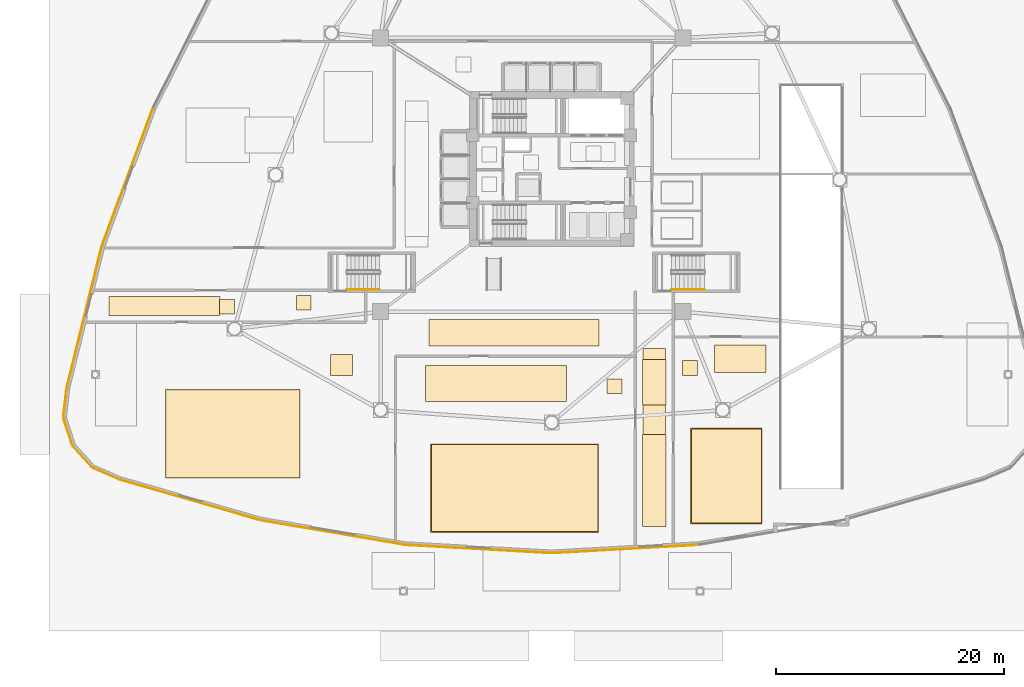
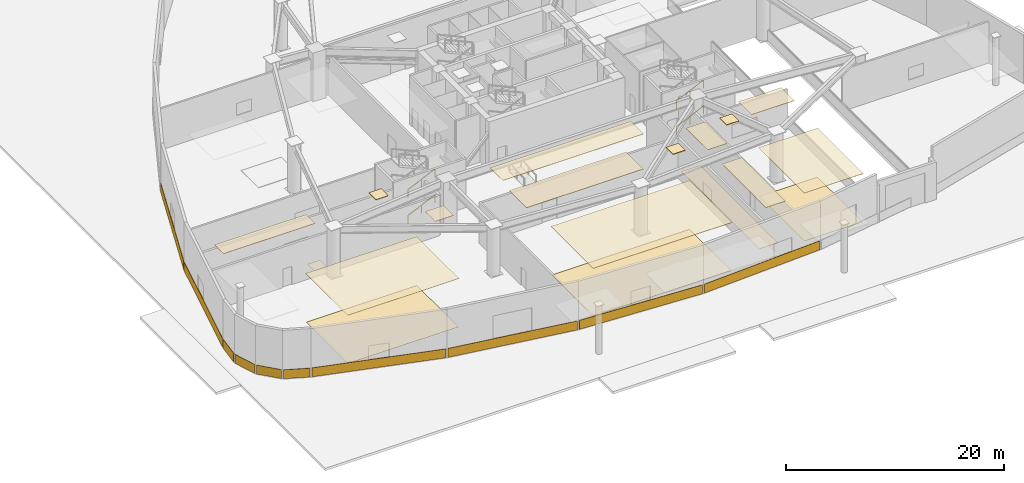
# One storey, part 9 of 13: 28 coverings, 4 railings.
"""IFC4 building model written with IfcOpenShell, lengths in metres."""

from ifc_helpers import new_model, si_unit, direction, frame, origin, origin_2d, place, context, subcontext, project, spatial, polyline, rectangle, outline, extrude, material, layer, layer_set, type_object, element, save


model = new_model("IFC4")

# Units and contexts
model_context = context("Model", 3, precision=1e-05, world=origin(), true_north=direction((0.0, 1.0)))
body_context = subcontext(model_context, "Body", "Model", "MODEL_VIEW")
ifc_project = project(units=[si_unit("LENGTHUNIT", "METRE"), si_unit("AREAUNIT", "SQUARE_METRE"), si_unit("VOLUMEUNIT", "CUBIC_METRE"), si_unit("PLANEANGLEUNIT", "RADIAN"), si_unit("MASSUNIT", "GRAM", prefix="KILO")], contexts=[model_context])

# Site, building, storey
site_placement = place(None, origin())
site = spatial("IfcSite", under=ifc_project, at=site_placement, CompositionType="ELEMENT")
building_placement = place(site_placement, origin())
building = spatial("IfcBuilding", under=site, at=building_placement, Name="Tavelor Broadcast Tower", CompositionType="ELEMENT")
storey_placement = place(building_placement, origin())
storey = spatial("IfcBuildingStorey", under=building, at=storey_placement, Name="L00", CompositionType="ELEMENT", Elevation=0.0)

# Covering
ifc_material_1 = material(Name="Copper-Bronze Anodized Aluminium", Category="aluminium")
ifc_layer_1 = layer(ifc_material_1, 0.044921875)
ifc_layer_set_1 = layer_set([ifc_layer_1], Name="Copper-Bronze Anodized Aluminium")
covering_type_1 = type_object("IfcCoveringType", Name="Anodised Bronze Linear Slatted Concourse Ceiling 45 mm", PredefinedType="CEILING", material=ifc_layer_set_1)
covering_1_placement = place(storey_placement, frame((0.0, 0.0, 5.405029296875)))
element("IfcCovering", 1, at=covering_1_placement, inside=storey, type_object=covering_type_1, Name="L00 Suspended Acoustic Ceiling 0012", PredefinedType="CEILING", context=body_context, shape_type="SweptSolid", body=[
    extrude(outline(polyline([(39.2421875, 29.484619140625), (54.15771484375, 29.484619140625), (54.15771484375, 31.833251953125), (39.2421875, 31.833251953125), (39.2421875, 29.484619140625)])), origin(), (0.0, 0.0, 1.0), 0.044921875),
])

# Railings
ifc_material_2 = material(Name="Steel S355", Category="steel")
railing_type = type_object("IfcRailingType", Name="Continuous Brushed Stainless Handrail 900 mm", PredefinedType="HANDRAIL", material=ifc_material_2)
railing_1_placement = place(storey_placement, frame((32.050048828125, 34.449951171875, 0.1611328125)))
element("IfcRailing", 2, at=railing_1_placement, inside=storey, type_object=railing_type, Name="L00 ST3 stair handrail 1", PredefinedType="HANDRAIL", context=body_context, shape_type="SweptSolid", body=[
    extrude(rectangle(XDim=0.048095703125, YDim=0.048095703125, at=origin_2d()), frame((0.0, 0.0, 0.8759765625), z_axis=(0.912765110149, 0.0, 0.408484826761), x_axis=(0.0, 1.0, 0.0)), (0.0, 0.0, 1.0), 3.155029296875),
    extrude(rectangle(XDim=0.0419921875, YDim=0.0419921875, at=origin_2d()), origin(), (0.0, 0.0, 1.0), 0.851806640625),
    extrude(rectangle(XDim=0.0419921875, YDim=0.0419921875, at=origin_2d()), frame((1.43994140625, 0.0, 0.64453125)), (0.0, 0.0, 1.0), 0.851806640625),
    extrude(rectangle(XDim=0.0419921875, YDim=0.0419921875, at=origin_2d()), frame((2.8798828125, 0.0, 1.288818359375)), (0.0, 0.0, 1.0), 0.851806640625),
])
railing_2_placement = place(storey_placement, frame((32.050048828125, 34.449951171875, 3.06103515625)))
element("IfcRailing", 3, at=railing_2_placement, inside=storey, type_object=railing_type, Name="L00 ST3 stair handrail 3", PredefinedType="HANDRAIL", context=body_context, shape_type="SweptSolid", body=[
    extrude(rectangle(XDim=0.048095703125, YDim=0.048095703125, at=origin_2d()), frame((0.0, 0.0, 0.8759765625), z_axis=(0.912736257894, 0.0, 0.408549291428), x_axis=(0.0, 1.0, 0.0)), (0.0, 0.0, 1.0), 3.1552734375),
    extrude(rectangle(XDim=0.0419921875, YDim=0.0419921875, at=origin_2d()), origin(), (0.0, 0.0, 1.0), 0.851806640625),
    extrude(rectangle(XDim=0.0419921875, YDim=0.0419921875, at=origin_2d()), frame((1.43994140625, 0.0, 0.64453125)), (0.0, 0.0, 1.0), 0.851806640625),
    extrude(rectangle(XDim=0.0419921875, YDim=0.0419921875, at=origin_2d()), frame((2.8798828125, 0.0, 1.2890625)), (0.0, 0.0, 1.0), 0.851806640625),
])
railing_3_placement = place(storey_placement, frame((60.5, 34.449951171875, 0.1611328125)))
element("IfcRailing", 4, at=railing_3_placement, inside=storey, type_object=railing_type, Name="L00 ST4 stair handrail 1", PredefinedType="HANDRAIL", context=body_context, shape_type="SweptSolid", body=[
    extrude(rectangle(XDim=0.048095703125, YDim=0.048095703125, at=origin_2d()), frame((0.0, 0.0, 0.8759765625), z_axis=(0.912765110149, 0.0, 0.408484826761), x_axis=(0.0, 1.0, 0.0)), (0.0, 0.0, 1.0), 3.155029296875),
    extrude(rectangle(XDim=0.0419921875, YDim=0.0419921875, at=origin_2d()), origin(), (0.0, 0.0, 1.0), 0.851806640625),
    extrude(rectangle(XDim=0.0419921875, YDim=0.0419921875, at=origin_2d()), frame((1.43994140625, 0.0, 0.64453125)), (0.0, 0.0, 1.0), 0.851806640625),
    extrude(rectangle(XDim=0.0419921875, YDim=0.0419921875, at=origin_2d()), frame((2.8798828125, 0.0, 1.288818359375)), (0.0, 0.0, 1.0), 0.851806640625),
])
railing_4_placement = place(storey_placement, frame((60.5, 34.449951171875, 3.06103515625)))
element("IfcRailing", 5, at=railing_4_placement, inside=storey, type_object=railing_type, Name="L00 ST4 stair handrail 3", PredefinedType="HANDRAIL", context=body_context, shape_type="SweptSolid", body=[
    extrude(rectangle(XDim=0.048095703125, YDim=0.048095703125, at=origin_2d()), frame((0.0, 0.0, 0.8759765625), z_axis=(0.912736257894, 0.0, 0.408549291428), x_axis=(0.0, 1.0, 0.0)), (0.0, 0.0, 1.0), 3.1552734375),
    extrude(rectangle(XDim=0.0419921875, YDim=0.0419921875, at=origin_2d()), origin(), (0.0, 0.0, 1.0), 0.851806640625),
    extrude(rectangle(XDim=0.0419921875, YDim=0.0419921875, at=origin_2d()), frame((1.43994140625, 0.0, 0.64453125)), (0.0, 0.0, 1.0), 0.851806640625),
    extrude(rectangle(XDim=0.0419921875, YDim=0.0419921875, at=origin_2d()), frame((2.8798828125, 0.0, 1.2890625)), (0.0, 0.0, 1.0), 0.851806640625),
])

# Coverings
ifc_material_3 = material(Name="Acoustic Nylon Carpet Tile")
ifc_layer_2 = layer(ifc_material_3, 0.02001953125)
ifc_layer_set_2 = layer_set([ifc_layer_2], Name="Acoustic Nylon Carpet Tile")
covering_type_2 = type_object("IfcCoveringType", Name="Heavy-Duty Acoustic Broadcast Carpet Tile 20 mm", PredefinedType="FLOORING", material=ifc_layer_set_2)
covering_2_placement = place(storey_placement, origin())
element("IfcCovering", 6, at=covering_2_placement, inside=storey, type_object=covering_type_2, Name="L00 Broadcast Floor Finish 0002", PredefinedType="FLOORING", context=body_context, shape_type="SweptSolid", body=[
    extrude(outline(polyline([(20.896728515625, 32.280029296875), (22.19677734375, 32.280029296875), (22.19677734375, 33.580078125), (20.896728515625, 33.580078125), (20.896728515625, 32.280029296875)])), origin(), (0.0, 0.0, 1.0), 0.02001953125),
])
covering_3_placement = place(storey_placement, origin())
element("IfcCovering", 7, at=covering_3_placement, inside=storey, type_object=covering_type_2, Name="L00 Broadcast Floor Finish 0003", PredefinedType="FLOORING", context=body_context, shape_type="SweptSolid", body=[
    extrude(outline(polyline([(58.022216796875, 14.952392578125), (59.977783203125, 14.952392578125), (59.977783203125, 29.2705078125), (58.022216796875, 29.2705078125), (58.022216796875, 14.952392578125)])), origin(), (0.0, 0.0, 1.0), 0.02001953125),
])
covering_4_placement = place(storey_placement, origin())
element("IfcCovering", 8, at=covering_4_placement, inside=storey, type_object=covering_type_2, Name="L00 Broadcast Floor Finish 0006", PredefinedType="FLOORING", context=body_context, shape_type="SweptSolid", body=[
    extrude(outline(polyline([(16.177978515625, 17.948974609375), (27.890625, 17.948974609375), (27.890625, 25.598388671875), (16.177978515625, 25.598388671875), (16.177978515625, 17.948974609375)])), origin(), (0.0, 0.0, 1.0), 0.02001953125),
])
covering_5_placement = place(storey_placement, origin())
element("IfcCovering", 9, at=covering_5_placement, inside=storey, type_object=covering_type_2, Name="L00 Broadcast Floor Finish 0007", PredefinedType="FLOORING", context=body_context, shape_type="SweptSolid", body=[
    extrude(outline(polyline([(62.237060546875, 13.966796875), (68.383056640625, 13.966796875), (68.383056640625, 22.234375), (62.237060546875, 22.234375), (62.237060546875, 13.966796875)])), origin(), (0.0, 0.0, 1.0), 0.02001953125),
])
ifc_material_4 = material(Name="Acoustic Hardwood Studio Flooring", Category="wood")
ifc_layer_3 = layer(ifc_material_4, 0.034912109375)
ifc_layer_set_3 = layer_set([ifc_layer_3], Name="Acoustic Hardwood Studio Flooring")
covering_type_3 = type_object("IfcCoveringType", Name="Isolated Studio Acoustic Elastomeric Floor Finish 35 mm", PredefinedType="FLOORING", material=ifc_layer_set_3)
covering_6_placement = place(storey_placement, origin())
element("IfcCovering", 10, at=covering_6_placement, inside=storey, type_object=covering_type_3, Name="L00 Broadcast Floor Finish 0005", PredefinedType="FLOORING", context=body_context, shape_type="SweptSolid", body=[
    extrude(outline(polyline([(39.457763671875, 13.222900390625), (54.042236328125, 13.222900390625), (54.042236328125, 20.853515625), (39.457763671875, 20.853515625), (39.457763671875, 13.222900390625)])), origin(), (0.0, 0.0, 1.0), 0.034912109375),
])
ifc_material_5 = material(Name="Acoustic Perforated Timber Baffle", Category="wood")
ifc_layer_4 = layer(ifc_material_5, 0.054931640625)
ifc_layer_set_4 = layer_set([ifc_layer_4], Name="Acoustic Perforated Timber Baffle")
covering_type_4 = type_object("IfcCoveringType", Name="Micro-Perforated Acoustic Baffle Studio Ceiling 55 mm", PredefinedType="CEILING", material=ifc_layer_set_4)
covering_7_placement = place(storey_placement, frame((0.0, 0.0, 5.39501953125)))
element("IfcCovering", 11, at=covering_7_placement, inside=storey, type_object=covering_type_4, Name="L00 Suspended Acoustic Ceiling 0013", PredefinedType="CEILING", context=body_context, shape_type="SweptSolid", body=[
    extrude(outline(polyline([(39.400146484375, 13.166748046875), (54.099853515625, 13.166748046875), (54.099853515625, 20.921875), (39.400146484375, 20.921875), (39.400146484375, 13.166748046875)])), origin(), (0.0, 0.0, 1.0), 0.054931640625),
])
covering_8_placement = place(storey_placement, frame((0.0, 0.0, 5.39501953125)))
element("IfcCovering", 12, at=covering_8_placement, inside=storey, type_object=covering_type_4, Name="L00 Suspended Acoustic Ceiling 0014", PredefinedType="CEILING", context=body_context, shape_type="SweptSolid", body=[
    extrude(outline(polyline([(38.945556640625, 24.618408203125), (51.30712890625, 24.618408203125), (51.30712890625, 27.791015625), (38.945556640625, 27.791015625), (38.945556640625, 24.618408203125)])), origin(), (0.0, 0.0, 1.0), 0.054931640625),
])
covering_9_placement = place(storey_placement, frame((0.0, 0.0, 5.39501953125)))
element("IfcCovering", 13, at=covering_9_placement, inside=storey, type_object=covering_type_4, Name="L00 Suspended Acoustic Ceiling 0015", PredefinedType="CEILING", context=body_context, shape_type="SweptSolid", body=[
    extrude(outline(polyline([(54.864990234375, 25.309814453125), (56.1650390625, 25.309814453125), (56.1650390625, 26.60986328125), (54.864990234375, 26.60986328125), (54.864990234375, 25.309814453125)])), origin(), (0.0, 0.0, 1.0), 0.054931640625),
])
ifc_material_6 = material(Name="Kiln-Fired Glazed Terracotta", Category="masonry")
ifc_layer_5 = layer(ifc_material_6, 0.06494140625)
ifc_layer_set_5 = layer_set([ifc_layer_5], Name="Kiln-Fired Glazed Terracotta")
covering_type_5 = type_object("IfcCoveringType", Name="Ribbed Terracotta Rainscreen Spandrel Cladding 65 mm", PredefinedType="CLADDING", material=ifc_layer_set_5)
for number, where, z_axis, x_axis, name in (
    (14, (12.818603515625, 44.33056640625, 0.050048828125), (0.0, 0.0, 1.0), (-0.347753981862, -0.937585819058, 0.0), "L00 Terracotta Spandrel Rainscreen 09"),
    (15, (9.037109375, 32.06591796875, 0.050048828125), (0.0, 0.0, 1.0), (-0.240566871809, -0.970632567035, 0.0), "L00 Terracotta Spandrel Rainscreen 10"),
):
    element("IfcCovering", number, at=place(storey_placement, frame(where, z_axis=z_axis, x_axis=x_axis)), inside=storey, type_object=covering_type_5, Name=name, PredefinedType="CLADDING", context=body_context, shape_type="SweptSolid", body=[
        extrude(rectangle(XDim=12.654541015625, YDim=0.06494140625, at=origin_2d()), origin(), (0.0, 0.0, 1.0), 1.0),
    ])
for number, where, z_axis, x_axis, name in (
    (16, (7.344482421875, 24.531005859375, 0.050048828125), (0.0, 0.0, 1.0), (-0.112336115762, -0.99367026578, 0.0), "L00 Terracotta Spandrel Rainscreen 11"),
    (17, (7.597900390625, 21.9921875, 0.050048828125), (0.0, 0.0, 1.0), (0.306526078098, -0.951862260753, 0.0), "L00 Terracotta Spandrel Rainscreen 12"),
    (18, (8.87353515625, 19.78271484375, 0.050048828125), (0.0, 0.0, 1.0), (0.671073859667, -0.741390500932, 0.0), "L00 Terracotta Spandrel Rainscreen 13"),
    (19, (10.9453125, 18.293701171875, 0.050048828125), (0.0, 0.0, 1.0), (0.916711751032, -0.399549202878, 0.0), "L00 Terracotta Spandrel Rainscreen 14"),
):
    element("IfcCovering", number, at=place(storey_placement, frame(where, z_axis=z_axis, x_axis=x_axis)), inside=storey, type_object=covering_type_5, Name=name, PredefinedType="CLADDING", context=body_context, shape_type="SweptSolid", body=[
        extrude(rectangle(XDim=2.409912109375, YDim=0.06494140625, at=origin_2d()), origin(), (0.0, 0.0, 1.0), 1.0),
    ])
covering_10_placement = place(storey_placement, frame((18.3173828125, 15.9921875, 0.050048828125), z_axis=(0.0, 0.0, 1.0), x_axis=(0.960875896697, -0.276979261222, 0.0)))
element("IfcCovering", 20, at=covering_10_placement, inside=storey, type_object=covering_type_5, Name="L00 Terracotta Spandrel Rainscreen 15", PredefinedType="CLADDING", context=body_context, shape_type="SweptSolid", body=[
    extrude(rectangle(XDim=12.654541015625, YDim=0.06494140625, at=origin_2d()), origin(), (0.0, 0.0, 1.0), 1.0),
])
for number, where, z_axis, x_axis, name in (
    (21, (30.82958984375, 13.134765625, 0.050048828125), (0.0, 0.0, 1.0), (0.985850128464, -0.167629126969, 0.0), "L00 Terracotta Spandrel Rainscreen 16"),
    (22, (43.5830078125, 11.697021484375, 0.050048828125), (0.0, 0.0, 1.0), (0.998421217973, -0.05617002316, 0.0), "L00 Terracotta Spandrel Rainscreen 17"),
    (23, (56.4169921875, 11.697021484375, 0.050048828125), (0.0, 0.0, 1.0), (0.998421217973, 0.05617002316, 0.0), "L00 Terracotta Spandrel Rainscreen 18"),
):
    element("IfcCovering", number, at=place(storey_placement, frame(where, z_axis=z_axis, x_axis=x_axis)), inside=storey, type_object=covering_type_5, Name=name, PredefinedType="CLADDING", context=body_context, shape_type="SweptSolid", body=[
        extrude(rectangle(XDim=12.654296875, YDim=0.06494140625, at=origin_2d()), origin(), (0.0, 0.0, 1.0), 1.0),
    ])
ifc_material_7 = material(Name="Acoustic Mineral Fibre Tile")
ifc_layer_6 = layer(ifc_material_7, 0.0400390625)
ifc_layer_set_6 = layer_set([ifc_layer_6], Name="Acoustic Mineral Fibre Tile")
covering_type_6 = type_object("IfcCoveringType", Name="Suspended Acoustic Mineral-Fibre Office Ceiling 40 mm", PredefinedType="CEILING", material=ifc_layer_set_6)
covering_11_placement = place(storey_placement, frame((0.0, 0.0, 5.409912109375)))
element("IfcCovering", 24, at=covering_11_placement, inside=storey, type_object=covering_type_6, Name="L00 Suspended Acoustic Ceiling 0005", PredefinedType="CEILING", context=body_context, shape_type="SweptSolid", body=[
    extrude(outline(polyline([(27.61767578125, 32.63720703125), (28.91748046875, 32.63720703125), (28.91748046875, 33.937255859375), (27.61767578125, 33.937255859375), (27.61767578125, 32.63720703125)])), origin(), (0.0, 0.0, 1.0), 0.0400390625),
])
covering_12_placement = place(storey_placement, frame((0.0, 0.0, 5.409912109375)))
element("IfcCovering", 25, at=covering_12_placement, inside=storey, type_object=covering_type_6, Name="L00 Suspended Acoustic Ceiling 0006", PredefinedType="CEILING", context=body_context, shape_type="SweptSolid", body=[
    extrude(outline(polyline([(11.197021484375, 32.146240234375), (20.9091796875, 32.146240234375), (20.9091796875, 33.813720703125), (11.197021484375, 33.813720703125), (11.197021484375, 32.146240234375)])), origin(), (0.0, 0.0, 1.0), 0.0400390625),
])
covering_13_placement = place(storey_placement, frame((0.0, 0.0, 5.409912109375)))
element("IfcCovering", 26, at=covering_13_placement, inside=storey, type_object=covering_type_6, Name="L00 Suspended Acoustic Ceiling 0007", PredefinedType="CEILING", context=body_context, shape_type="SweptSolid", body=[
    extrude(outline(polyline([(57.964599609375, 24.3291015625), (60.035400390625, 24.3291015625), (60.035400390625, 28.3310546875), (57.964599609375, 28.3310546875), (57.964599609375, 24.3291015625)])), origin(), (0.0, 0.0, 1.0), 0.0400390625),
])
covering_14_placement = place(storey_placement, frame((0.0, 0.0, 5.409912109375)))
element("IfcCovering", 27, at=covering_14_placement, inside=storey, type_object=covering_type_6, Name="L00 Suspended Acoustic Ceiling 0008", PredefinedType="CEILING", context=body_context, shape_type="SweptSolid", body=[
    extrude(outline(polyline([(57.964599609375, 13.65283203125), (60.035400390625, 13.65283203125), (60.035400390625, 21.722412109375), (57.964599609375, 21.722412109375), (57.964599609375, 13.65283203125)])), origin(), (0.0, 0.0, 1.0), 0.0400390625),
])
covering_15_placement = place(storey_placement, frame((0.0, 0.0, 5.409912109375)))
element("IfcCovering", 28, at=covering_15_placement, inside=storey, type_object=covering_type_6, Name="L00 Suspended Acoustic Ceiling 0016", PredefinedType="CEILING", context=body_context, shape_type="SweptSolid", body=[
    extrude(outline(polyline([(16.136962890625, 17.92041015625), (27.921142578125, 17.92041015625), (27.921142578125, 25.666015625), (16.136962890625, 25.666015625), (16.136962890625, 17.92041015625)])), origin(), (0.0, 0.0, 1.0), 0.0400390625),
])
covering_16_placement = place(storey_placement, frame((0.0, 0.0, 5.409912109375)))
element("IfcCovering", 29, at=covering_16_placement, inside=storey, type_object=covering_type_6, Name="L00 Suspended Acoustic Ceiling 0017", PredefinedType="CEILING", context=body_context, shape_type="SweptSolid", body=[
    extrude(outline(polyline([(30.6005859375, 26.898681640625), (32.5390625, 26.898681640625), (32.5390625, 28.74560546875), (30.6005859375, 28.74560546875), (30.6005859375, 26.898681640625)])), origin(), (0.0, 0.0, 1.0), 0.0400390625),
])
covering_17_placement = place(storey_placement, frame((0.0, 0.0, 5.409912109375)))
element("IfcCovering", 30, at=covering_17_placement, inside=storey, type_object=covering_type_6, Name="L00 Suspended Acoustic Ceiling 0018", PredefinedType="CEILING", context=body_context, shape_type="SweptSolid", body=[
    extrude(outline(polyline([(61.46630859375, 26.90869140625), (62.766357421875, 26.90869140625), (62.766357421875, 28.208740234375), (61.46630859375, 28.208740234375), (61.46630859375, 26.90869140625)])), origin(), (0.0, 0.0, 1.0), 0.0400390625),
])
covering_18_placement = place(storey_placement, frame((0.0, 0.0, 5.409912109375)))
element("IfcCovering", 31, at=covering_18_placement, inside=storey, type_object=covering_type_6, Name="L00 Suspended Acoustic Ceiling 0019", PredefinedType="CEILING", context=body_context, shape_type="SweptSolid", body=[
    extrude(outline(polyline([(64.267578125, 27.1787109375), (68.780517578125, 27.1787109375), (68.780517578125, 29.58935546875), (64.267578125, 29.58935546875), (64.267578125, 27.1787109375)])), origin(), (0.0, 0.0, 1.0), 0.0400390625),
])
covering_19_placement = place(storey_placement, frame((0.0, 0.0, 5.409912109375)))
element("IfcCovering", 32, at=covering_19_placement, inside=storey, type_object=covering_type_6, Name="L00 Suspended Acoustic Ceiling 0020", PredefinedType="CEILING", context=body_context, shape_type="SweptSolid", body=[
    extrude(outline(polyline([(62.179443359375, 13.90771484375), (68.440673828125, 13.90771484375), (68.440673828125, 22.305908203125), (62.179443359375, 22.305908203125), (62.179443359375, 13.90771484375)])), origin(), (0.0, 0.0, 1.0), 0.0400390625),
])

save(model, "model.ifc")
